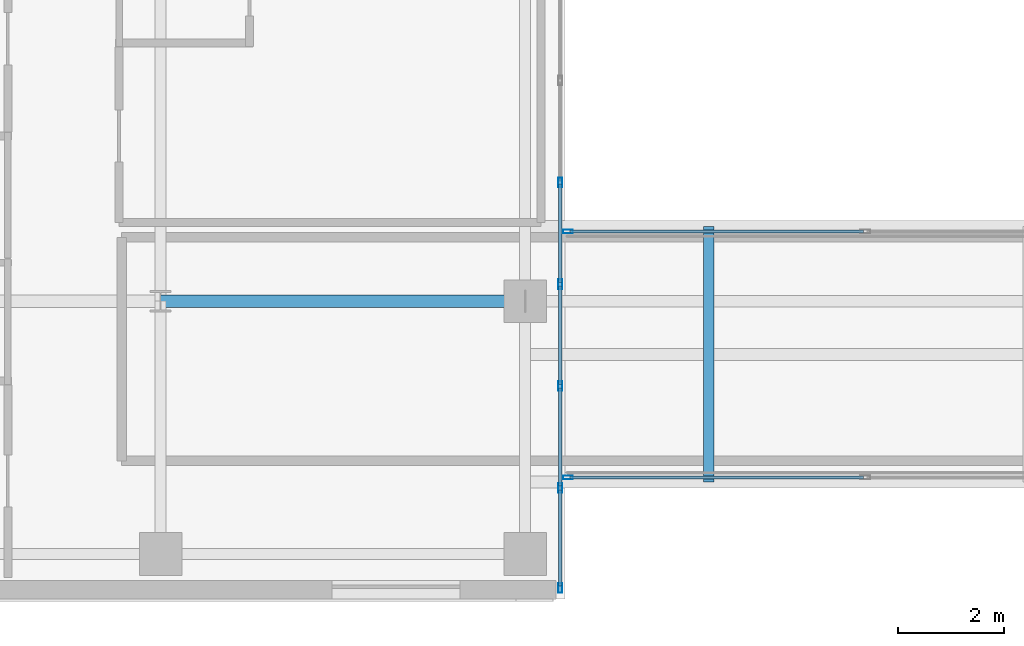
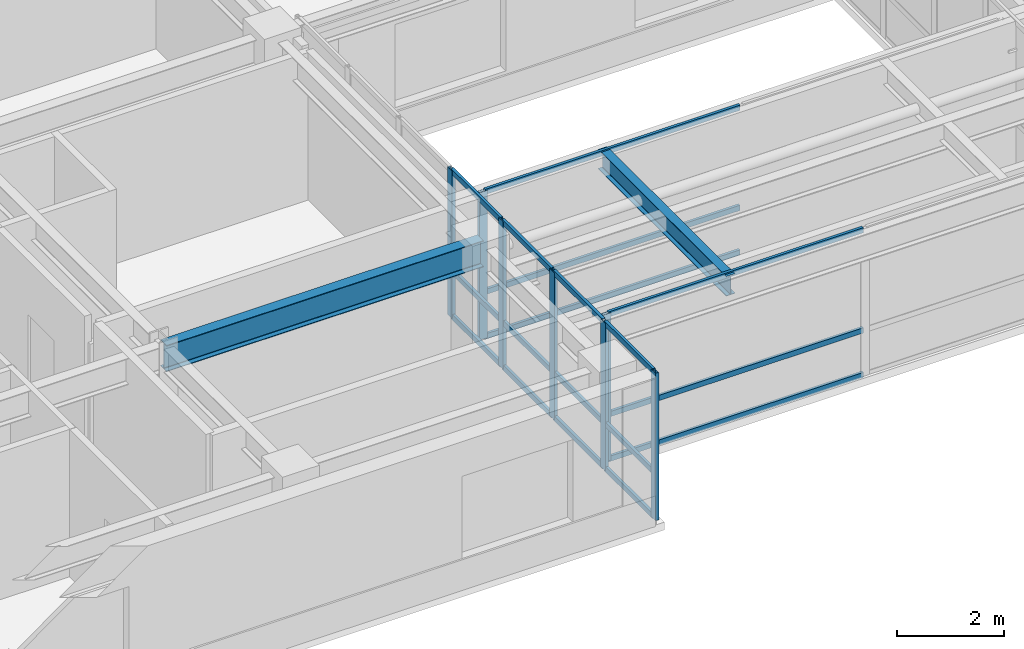
# One storey, part 3 of 26: 25 members, 2 beams, 3 elements without a shape of their own.
"""IFC4 building model written with IfcOpenShell, lengths in metres."""

from ifc_helpers import new_model, si_unit, direction, frame, origin, origin_2d, place, context, subcontext, project, spatial, hollow_rectangle, i_section, extrude, source, transform, mapped, material, layer, layer_set, material_profile, profile_set, type_object, type_shapes, element, aggregate, save


model = new_model("IFC4")

# Units and contexts
model_context = context("Model", 3, precision=1e-05, world=origin(), true_north=direction((0.0, 1.0)))
body_context = subcontext(model_context, "Body", "Model", "MODEL_VIEW")
ifc_project = project(units=[si_unit("LENGTHUNIT", "METRE"), si_unit("AREAUNIT", "SQUARE_METRE"), si_unit("VOLUMEUNIT", "CUBIC_METRE"), si_unit("PLANEANGLEUNIT", "RADIAN"), si_unit("MASSUNIT", "GRAM", prefix="KILO")], contexts=[model_context])

# Site, building, storey
site_placement = place(None, origin())
site = spatial("IfcSite", under=ifc_project, at=site_placement, CompositionType="ELEMENT")
building_placement = place(site_placement, origin())
building = spatial("IfcBuilding", under=site, at=building_placement, Name="Tolvann Quenvar Hotel", CompositionType="ELEMENT")
storey_placement = place(building_placement, frame((0.0, 0.0, 168.35009765625)))
storey = spatial("IfcBuildingStorey", under=building, at=storey_placement, Name="L44", CompositionType="ELEMENT", Elevation=168.35009765625)

# Beams
ifc_material_1 = material(Name="Steel Grade 350", Category="steel")
ifc_material_profile_1 = material_profile(ifc_material_1, i_section(OverallWidth=0.22802734375, OverallDepth=0.60205078125, WebThickness=0.010498046875, FlangeThickness=0.014892578125, FilletRadius=0.013916015625, at=origin_2d()), Name="610UB101")
ifc_profile_set_1 = profile_set([ifc_material_profile_1], Name="Steel Grade 350")
beam_type_1 = type_object("IfcBeamType", Name="BM_GIRD_610UB101", PredefinedType="BEAM", material=ifc_profile_set_1)
shared_shape_1 = source(origin(), body_context, "Body", "SweptSolid", [
    extrude(i_section(OverallWidth=0.22802734375, OverallDepth=0.60205078125, WebThickness=0.010498046875, FlangeThickness=0.014892578125, FilletRadius=0.013916015625, at=origin_2d()), origin(), (0.0, 0.0, 1.0), 6.85009765625),
])
type_shapes(beam_type_1, [shared_shape_1])
beam_1_placement = place(storey_placement, frame((15.199951171875, 8.199951171875, 3.06884765625), z_axis=(1.0, 0.0, 0.0), x_axis=(0.0, 1.0, 0.0)))
element("IfcBeam", 1, at=beam_1_placement, inside=storey, type_object=beam_type_1, Name="BM-L44-EW-3-D3-E3", PredefinedType="BEAM", context=body_context, shape_type="MappedRepresentation", body=[
    mapped(shared_shape_1, transform((0.0, 0.0, 0.0), x_axis=(1.0, 0.0, 0.0), y_axis=(0.0, 1.0, 0.0), z_axis=(0.0, 0.0, 1.0), scale=1.0)),
])
ifc_material_profile_2 = material_profile(ifc_material_1, i_section(OverallWidth=0.18994140625, OverallDepth=0.4541015625, WebThickness=0.008544921875, FlangeThickness=0.0126953125, FilletRadius=0.011474609375, at=origin_2d()), Name="460UB67")
ifc_profile_set_2 = profile_set([ifc_material_profile_2], Name="Steel Grade 350")
beam_type_2 = type_object("IfcBeamType", Name="BM_JOIST_460UB67", PredefinedType="JOIST", material=ifc_profile_set_2)
shared_shape_2 = source(origin(), body_context, "Body", "SweptSolid", [
    extrude(i_section(OverallWidth=0.18994140625, OverallDepth=0.4541015625, WebThickness=0.008544921875, FlangeThickness=0.0126953125, FilletRadius=0.011474609375, at=origin_2d()), origin(), (0.0, 0.0, 1.0), 4.800048828125),
])
type_shapes(beam_type_2, [shared_shape_2])
beam_2_placement = place(storey_placement, frame((25.5, 4.800048828125, 3.142822265625), z_axis=(0.0, 1.0, 0.0), x_axis=(-1.0, 0.0, 0.0)))
element("IfcBeam", 2, at=beam_2_placement, inside=storey, type_object=beam_type_2, Name="Skybridge Transverse Diaphragm Beam W (L45)", PredefinedType="JOIST", context=body_context, shape_type="MappedRepresentation", body=[
    mapped(shared_shape_2, transform((0.0, 0.0, 0.0), x_axis=(1.0, 0.0, 0.0), y_axis=(0.0, 1.0, 0.0), z_axis=(0.0, 0.0, 1.0), scale=1.0)),
])

# Curtain wall, members
ifc_material_2 = material(Name="Thermally broken anodised architectural aluminium 6063-T6 and laminated low-E glass", Category="aluminium")
ifc_layer = layer(ifc_material_2, 0.179931640625)
ifc_layer_set = layer_set([ifc_layer], Name="Thermally broken anodised architectural aluminium 6063-T6 and laminated low-E glass")
curtain_wall_type = type_object("IfcCurtainWallType", Name="CW_SYS_SLOT_03", PredefinedType="USERDEFINED", material=ifc_layer_set)
curtain_wall_1_placement = place(storey_placement, origin())
curtain_wall_1 = element("IfcCurtainWall", 3, at=curtain_wall_1_placement, inside=storey, type_object=curtain_wall_type, Name="Curtain Wall CW-SLOT-03 (CWR-L44-E05)", ObjectType="UNITISED CURTAIN WALL", PredefinedType="USERDEFINED")
ifc_material_3 = material(Name="Anodised architectural aluminium 6063-T6 framing", Category="aluminium")
ifc_material_profile_3 = material_profile(ifc_material_3, hollow_rectangle(XDim=0.070068359375, YDim=0.179931640625, WallThickness=0.00390625, at=origin_2d()), Name="180x70x4RHS")
ifc_profile_set_3 = profile_set([ifc_material_profile_3], Name="Anodised architectural aluminium 6063-T6 framing")
member_type_1 = type_object("IfcMemberType", Name="CW_MULL_180x70", PredefinedType="MULLION", material=ifc_profile_set_3)
shared_shape_3 = source(origin(), body_context, "Body", "SweptSolid", [
    extrude(hollow_rectangle(XDim=0.070068359375, YDim=0.179931640625, WallThickness=0.00390625, at=origin_2d()), origin(), (0.0, 0.0, 1.0), 3.369873046875),
])
type_shapes(member_type_1, [shared_shape_3])
member_1_placement = place(storey_placement, frame((22.7099609375, 2.81005859375, 0.0), z_axis=(0.0, 0.0, 1.0), x_axis=(-1.0, 0.0, 0.0)))
member_1 = element("IfcMember", 4, at=member_1_placement, type_object=member_type_1, Name="CW-SLOT-03 mullion 1", PredefinedType="MULLION", context=body_context, shape_type="MappedRepresentation", body=[
    mapped(shared_shape_3, transform((0.0, 0.0, 0.0), x_axis=(1.0, 0.0, 0.0), y_axis=(0.0, 1.0, 0.0), z_axis=(0.0, 0.0, 1.0), scale=1.0)),
])
member_2_placement = place(storey_placement, frame((22.7099609375, 4.689208984375, 0.0), z_axis=(0.0, 0.0, 1.0), x_axis=(-1.0, 0.0, 0.0)))
member_2 = element("IfcMember", 5, at=member_2_placement, type_object=member_type_1, Name="CW-SLOT-03 mullion 2", PredefinedType="MULLION", context=body_context, shape_type="MappedRepresentation", body=[
    mapped(shared_shape_3, transform((0.0, 0.0, 0.0), x_axis=(1.0, 0.0, 0.0), y_axis=(0.0, 1.0, 0.0), z_axis=(0.0, 0.0, 1.0), scale=1.0)),
])
member_3_placement = place(storey_placement, frame((22.7099609375, 6.603515625, 0.0), z_axis=(0.0, 0.0, 1.0), x_axis=(-1.0, 0.0, 0.0)))
member_3 = element("IfcMember", 6, at=member_3_placement, type_object=member_type_1, Name="CW-SLOT-03 mullion 3", PredefinedType="MULLION", context=body_context, shape_type="MappedRepresentation", body=[
    mapped(shared_shape_3, transform((0.0, 0.0, 0.0), x_axis=(1.0, 0.0, 0.0), y_axis=(0.0, 1.0, 0.0), z_axis=(0.0, 0.0, 1.0), scale=1.0)),
])
member_4_placement = place(storey_placement, frame((22.7099609375, 8.517822265625, 0.0), z_axis=(0.0, 0.0, 1.0), x_axis=(-1.0, 0.0, 0.0)))
member_4 = element("IfcMember", 7, at=member_4_placement, type_object=member_type_1, Name="CW-SLOT-03 mullion 4", PredefinedType="MULLION", context=body_context, shape_type="MappedRepresentation", body=[
    mapped(shared_shape_3, transform((0.0, 0.0, 0.0), x_axis=(1.0, 0.0, 0.0), y_axis=(0.0, 1.0, 0.0), z_axis=(0.0, 0.0, 1.0), scale=1.0)),
])
member_5_placement = place(storey_placement, frame((22.7099609375, 10.43212890625, 0.0), z_axis=(0.0, 0.0, 1.0), x_axis=(-1.0, 0.0, 0.0)))
member_5 = element("IfcMember", 8, at=member_5_placement, type_object=member_type_1, Name="CW-SLOT-03 mullion 5", PredefinedType="MULLION", context=body_context, shape_type="MappedRepresentation", body=[
    mapped(shared_shape_3, transform((0.0, 0.0, 0.0), x_axis=(1.0, 0.0, 0.0), y_axis=(0.0, 1.0, 0.0), z_axis=(0.0, 0.0, 1.0), scale=1.0)),
])

# Curtain wall, member
curtain_wall_2_placement = place(storey_placement, origin())
curtain_wall_2 = element("IfcCurtainWall", 9, at=curtain_wall_2_placement, inside=storey, type_object=curtain_wall_type, Name="Curtain Wall CW-SLOT-03 (CWR-BRG-L44-S)", ObjectType="UNITISED CURTAIN WALL", PredefinedType="USERDEFINED")
member_6_placement = place(storey_placement, frame((22.85498046875, 4.889892578125, 0.0), z_axis=(0.0, 0.0, 1.0), x_axis=(0.0, 1.0, 0.0)))
member_6 = element("IfcMember", 10, at=member_6_placement, type_object=member_type_1, Name="CW-SLOT-03 mullion 1", PredefinedType="MULLION", context=body_context, shape_type="MappedRepresentation", body=[
    mapped(shared_shape_3, transform((0.0, 0.0, 0.0), x_axis=(1.0, 0.0, 0.0), y_axis=(0.0, 1.0, 0.0), z_axis=(0.0, 0.0, 1.0), scale=1.0)),
])

curtain_wall_3_placement = place(storey_placement, origin())
curtain_wall_3 = element("IfcCurtainWall", 11, at=curtain_wall_3_placement, inside=storey, type_object=curtain_wall_type, Name="Curtain Wall CW-SLOT-03 (CWR-BRG-L44-N)", ObjectType="UNITISED CURTAIN WALL", PredefinedType="USERDEFINED")
member_7_placement = place(storey_placement, frame((22.85498046875, 9.510009765625, 0.0), z_axis=(0.0, 0.0, 1.0), x_axis=(0.0, -1.0, 0.0)))
member_7 = element("IfcMember", 12, at=member_7_placement, type_object=member_type_1, Name="CW-SLOT-03 mullion 3", PredefinedType="MULLION", context=body_context, shape_type="MappedRepresentation", body=[
    mapped(shared_shape_3, transform((0.0, 0.0, 0.0), x_axis=(1.0, 0.0, 0.0), y_axis=(0.0, 1.0, 0.0), z_axis=(0.0, 0.0, 1.0), scale=1.0)),
])

# Member
ifc_material_profile_4 = material_profile(ifc_material_3, hollow_rectangle(XDim=0.06005859375, YDim=0.1201171875, WallThickness=0.00341796875, at=origin_2d()), Name="120x60x3.5RHS")
ifc_profile_set_4 = profile_set([ifc_material_profile_4], Name="Anodised architectural aluminium 6063-T6 framing")
member_type_2 = type_object("IfcMemberType", Name="CW_TRAN_120x60", PredefinedType="USERDEFINED", material=ifc_profile_set_4)
shared_shape_4 = source(origin(), body_context, "Body", "SweptSolid", [
    extrude(hollow_rectangle(XDim=0.06005859375, YDim=0.1201171875, WallThickness=0.00341796875, at=origin_2d()), origin(), (0.0, 0.0, 1.0), 1.809326171875),
])
member_8_placement = place(storey_placement, frame((22.7099609375, 2.844970703125, 0.02978515625), z_axis=(0.0, 1.0, 0.0), x_axis=(-1.0, 0.0, 0.0)))
member_8 = element("IfcMember", 13, at=member_8_placement, type_object=member_type_2, Name="CW-SLOT-03 transom 1.1", ObjectType="TRANSOM", PredefinedType="USERDEFINED", context=body_context, shape_type="MappedRepresentation", body=[
    mapped(shared_shape_4, transform((0.0, 0.0, 0.0), x_axis=(1.0, 0.0, 0.0), y_axis=(0.0, 1.0, 0.0), z_axis=(0.0, 0.0, 1.0), scale=1.0)),
])

member_9_placement = place(storey_placement, frame((22.7099609375, 2.844970703125, 1.0498046875), z_axis=(0.0, 1.0, 0.0), x_axis=(-1.0, 0.0, 0.0)))
member_9 = element("IfcMember", 14, at=member_9_placement, type_object=member_type_2, Name="CW-SLOT-03 transom 1.2", ObjectType="TRANSOM", PredefinedType="USERDEFINED", context=body_context, shape_type="MappedRepresentation", body=[
    mapped(shared_shape_4, transform((0.0, 0.0, 0.0), x_axis=(1.0, 0.0, 0.0), y_axis=(0.0, 1.0, 0.0), z_axis=(0.0, 0.0, 1.0), scale=1.0)),
])

member_10_placement = place(storey_placement, frame((22.7099609375, 2.844970703125, 3.33984375), z_axis=(0.0, 1.0, 0.0), x_axis=(-1.0, 0.0, 0.0)))
member_10 = element("IfcMember", 15, at=member_10_placement, type_object=member_type_2, Name="CW-SLOT-03 transom 1.3", ObjectType="TRANSOM", PredefinedType="USERDEFINED", context=body_context, shape_type="MappedRepresentation", body=[
    mapped(shared_shape_4, transform((0.0, 0.0, 0.0), x_axis=(1.0, 0.0, 0.0), y_axis=(0.0, 1.0, 0.0), z_axis=(0.0, 0.0, 1.0), scale=1.0)),
])

shared_shape_5 = source(origin(), body_context, "Body", "SweptSolid", [
    extrude(hollow_rectangle(XDim=0.06005859375, YDim=0.1201171875, WallThickness=0.00341796875, at=origin_2d()), origin(), (0.0, 0.0, 1.0), 1.84423828125),
])
member_11_placement = place(storey_placement, frame((22.7099609375, 4.724365234375, 0.02978515625), z_axis=(0.0, 1.0, 0.0), x_axis=(-1.0, 0.0, 0.0)))
member_11 = element("IfcMember", 16, at=member_11_placement, type_object=member_type_2, Name="CW-SLOT-03 transom 2.1", ObjectType="TRANSOM", PredefinedType="USERDEFINED", context=body_context, shape_type="MappedRepresentation", body=[
    mapped(shared_shape_5, transform((0.0, 0.0, 0.0), x_axis=(1.0, 0.0, 0.0), y_axis=(0.0, 1.0, 0.0), z_axis=(0.0, 0.0, 1.0), scale=1.0)),
])

member_12_placement = place(storey_placement, frame((22.7099609375, 4.724365234375, 1.0498046875), z_axis=(0.0, 1.0, 0.0), x_axis=(-1.0, 0.0, 0.0)))
member_12 = element("IfcMember", 17, at=member_12_placement, type_object=member_type_2, Name="CW-SLOT-03 transom 2.2", ObjectType="TRANSOM", PredefinedType="USERDEFINED", context=body_context, shape_type="MappedRepresentation", body=[
    mapped(shared_shape_5, transform((0.0, 0.0, 0.0), x_axis=(1.0, 0.0, 0.0), y_axis=(0.0, 1.0, 0.0), z_axis=(0.0, 0.0, 1.0), scale=1.0)),
])

member_13_placement = place(storey_placement, frame((22.7099609375, 4.724365234375, 3.33984375), z_axis=(0.0, 1.0, 0.0), x_axis=(-1.0, 0.0, 0.0)))
member_13 = element("IfcMember", 18, at=member_13_placement, type_object=member_type_2, Name="CW-SLOT-03 transom 2.3", ObjectType="TRANSOM", PredefinedType="USERDEFINED", context=body_context, shape_type="MappedRepresentation", body=[
    mapped(shared_shape_5, transform((0.0, 0.0, 0.0), x_axis=(1.0, 0.0, 0.0), y_axis=(0.0, 1.0, 0.0), z_axis=(0.0, 0.0, 1.0), scale=1.0)),
])

member_14_placement = place(storey_placement, frame((22.7099609375, 6.638671875, 0.02978515625), z_axis=(0.0, 1.0, 0.0), x_axis=(-1.0, 0.0, 0.0)))
member_14 = element("IfcMember", 19, at=member_14_placement, type_object=member_type_2, Name="CW-SLOT-03 transom 3.1", ObjectType="TRANSOM", PredefinedType="USERDEFINED", context=body_context, shape_type="MappedRepresentation", body=[
    mapped(shared_shape_5, transform((0.0, 0.0, 0.0), x_axis=(1.0, 0.0, 0.0), y_axis=(0.0, 1.0, 0.0), z_axis=(0.0, 0.0, 1.0), scale=1.0)),
])

member_15_placement = place(storey_placement, frame((22.7099609375, 6.638671875, 1.0498046875), z_axis=(0.0, 1.0, 0.0), x_axis=(-1.0, 0.0, 0.0)))
member_15 = element("IfcMember", 20, at=member_15_placement, type_object=member_type_2, Name="CW-SLOT-03 transom 3.2", ObjectType="TRANSOM", PredefinedType="USERDEFINED", context=body_context, shape_type="MappedRepresentation", body=[
    mapped(shared_shape_5, transform((0.0, 0.0, 0.0), x_axis=(1.0, 0.0, 0.0), y_axis=(0.0, 1.0, 0.0), z_axis=(0.0, 0.0, 1.0), scale=1.0)),
])

member_16_placement = place(storey_placement, frame((22.7099609375, 6.638671875, 3.33984375), z_axis=(0.0, 1.0, 0.0), x_axis=(-1.0, 0.0, 0.0)))
member_16 = element("IfcMember", 21, at=member_16_placement, type_object=member_type_2, Name="CW-SLOT-03 transom 3.3", ObjectType="TRANSOM", PredefinedType="USERDEFINED", context=body_context, shape_type="MappedRepresentation", body=[
    mapped(shared_shape_5, transform((0.0, 0.0, 0.0), x_axis=(1.0, 0.0, 0.0), y_axis=(0.0, 1.0, 0.0), z_axis=(0.0, 0.0, 1.0), scale=1.0)),
])

member_17_placement = place(storey_placement, frame((22.7099609375, 8.552978515625, 0.02978515625), z_axis=(0.0, 1.0, 0.0), x_axis=(-1.0, 0.0, 0.0)))
member_17 = element("IfcMember", 22, at=member_17_placement, type_object=member_type_2, Name="CW-SLOT-03 transom 4.1", ObjectType="TRANSOM", PredefinedType="USERDEFINED", context=body_context, shape_type="MappedRepresentation", body=[
    mapped(shared_shape_5, transform((0.0, 0.0, 0.0), x_axis=(1.0, 0.0, 0.0), y_axis=(0.0, 1.0, 0.0), z_axis=(0.0, 0.0, 1.0), scale=1.0)),
])

member_18_placement = place(storey_placement, frame((22.7099609375, 8.552978515625, 1.0498046875), z_axis=(0.0, 1.0, 0.0), x_axis=(-1.0, 0.0, 0.0)))
member_18 = element("IfcMember", 23, at=member_18_placement, type_object=member_type_2, Name="CW-SLOT-03 transom 4.2", ObjectType="TRANSOM", PredefinedType="USERDEFINED", context=body_context, shape_type="MappedRepresentation", body=[
    mapped(shared_shape_5, transform((0.0, 0.0, 0.0), x_axis=(1.0, 0.0, 0.0), y_axis=(0.0, 1.0, 0.0), z_axis=(0.0, 0.0, 1.0), scale=1.0)),
])

member_19_placement = place(storey_placement, frame((22.7099609375, 8.552978515625, 3.33984375), z_axis=(0.0, 1.0, 0.0), x_axis=(-1.0, 0.0, 0.0)))
member_19 = element("IfcMember", 24, at=member_19_placement, type_object=member_type_2, Name="CW-SLOT-03 transom 4.3", ObjectType="TRANSOM", PredefinedType="USERDEFINED", context=body_context, shape_type="MappedRepresentation", body=[
    mapped(shared_shape_5, transform((0.0, 0.0, 0.0), x_axis=(1.0, 0.0, 0.0), y_axis=(0.0, 1.0, 0.0), z_axis=(0.0, 0.0, 1.0), scale=1.0)),
])

aggregate(curtain_wall_1, [member_1, member_2, member_3, member_4, member_5, member_8, member_9, member_10, member_11, member_12, member_13, member_14, member_15, member_16, member_17, member_18, member_19])

shared_shape_6 = source(origin(), body_context, "Body", "SweptSolid", [
    extrude(hollow_rectangle(XDim=0.06005859375, YDim=0.1201171875, WallThickness=0.00341796875, at=origin_2d()), origin(), (0.0, 0.0, 1.0), 5.51513671875),
])
type_shapes(member_type_2, [shared_shape_4, shared_shape_5, shared_shape_6])
member_20_placement = place(storey_placement, frame((22.889892578125, 4.889892578125, 0.02978515625), z_axis=(1.0, 0.0, 0.0), x_axis=(0.0, 1.0, 0.0)))
member_20 = element("IfcMember", 25, at=member_20_placement, type_object=member_type_2, Name="CW-SLOT-03 transom 1.1", ObjectType="TRANSOM", PredefinedType="USERDEFINED", context=body_context, shape_type="MappedRepresentation", body=[
    mapped(shared_shape_6, transform((0.0, 0.0, 0.0), x_axis=(1.0, 0.0, 0.0), y_axis=(0.0, 1.0, 0.0), z_axis=(0.0, 0.0, 1.0), scale=1.0)),
])

member_21_placement = place(storey_placement, frame((22.889892578125, 4.889892578125, 1.0498046875), z_axis=(1.0, 0.0, 0.0), x_axis=(0.0, 1.0, 0.0)))
member_21 = element("IfcMember", 26, at=member_21_placement, type_object=member_type_2, Name="CW-SLOT-03 transom 1.2", ObjectType="TRANSOM", PredefinedType="USERDEFINED", context=body_context, shape_type="MappedRepresentation", body=[
    mapped(shared_shape_6, transform((0.0, 0.0, 0.0), x_axis=(1.0, 0.0, 0.0), y_axis=(0.0, 1.0, 0.0), z_axis=(0.0, 0.0, 1.0), scale=1.0)),
])

member_22_placement = place(storey_placement, frame((22.889892578125, 4.889892578125, 3.33984375), z_axis=(1.0, 0.0, 0.0), x_axis=(0.0, 1.0, 0.0)))
member_22 = element("IfcMember", 27, at=member_22_placement, type_object=member_type_2, Name="CW-SLOT-03 transom 1.3", ObjectType="TRANSOM", PredefinedType="USERDEFINED", context=body_context, shape_type="MappedRepresentation", body=[
    mapped(shared_shape_6, transform((0.0, 0.0, 0.0), x_axis=(1.0, 0.0, 0.0), y_axis=(0.0, 1.0, 0.0), z_axis=(0.0, 0.0, 1.0), scale=1.0)),
])

aggregate(curtain_wall_2, [member_6, member_20, member_21, member_22])

member_23_placement = place(storey_placement, frame((28.405029296875, 9.510009765625, 0.02978515625), z_axis=(-1.0, 0.0, 0.0), x_axis=(0.0, -1.0, 0.0)))
member_23 = element("IfcMember", 28, at=member_23_placement, type_object=member_type_2, Name="CW-SLOT-03 transom 2.1", ObjectType="TRANSOM", PredefinedType="USERDEFINED", context=body_context, shape_type="MappedRepresentation", body=[
    mapped(shared_shape_6, transform((0.0, 0.0, 0.0), x_axis=(1.0, 0.0, 0.0), y_axis=(0.0, 1.0, 0.0), z_axis=(0.0, 0.0, 1.0), scale=1.0)),
])

member_24_placement = place(storey_placement, frame((28.405029296875, 9.510009765625, 1.0498046875), z_axis=(-1.0, 0.0, 0.0), x_axis=(0.0, -1.0, 0.0)))
member_24 = element("IfcMember", 29, at=member_24_placement, type_object=member_type_2, Name="CW-SLOT-03 transom 2.2", ObjectType="TRANSOM", PredefinedType="USERDEFINED", context=body_context, shape_type="MappedRepresentation", body=[
    mapped(shared_shape_6, transform((0.0, 0.0, 0.0), x_axis=(1.0, 0.0, 0.0), y_axis=(0.0, 1.0, 0.0), z_axis=(0.0, 0.0, 1.0), scale=1.0)),
])

member_25_placement = place(storey_placement, frame((28.405029296875, 9.510009765625, 3.33984375), z_axis=(-1.0, 0.0, 0.0), x_axis=(0.0, -1.0, 0.0)))
member_25 = element("IfcMember", 30, at=member_25_placement, type_object=member_type_2, Name="CW-SLOT-03 transom 2.3", ObjectType="TRANSOM", PredefinedType="USERDEFINED", context=body_context, shape_type="MappedRepresentation", body=[
    mapped(shared_shape_6, transform((0.0, 0.0, 0.0), x_axis=(1.0, 0.0, 0.0), y_axis=(0.0, 1.0, 0.0), z_axis=(0.0, 0.0, 1.0), scale=1.0)),
])

aggregate(curtain_wall_3, [member_7, member_23, member_24, member_25])

save(model, "model.ifc")
